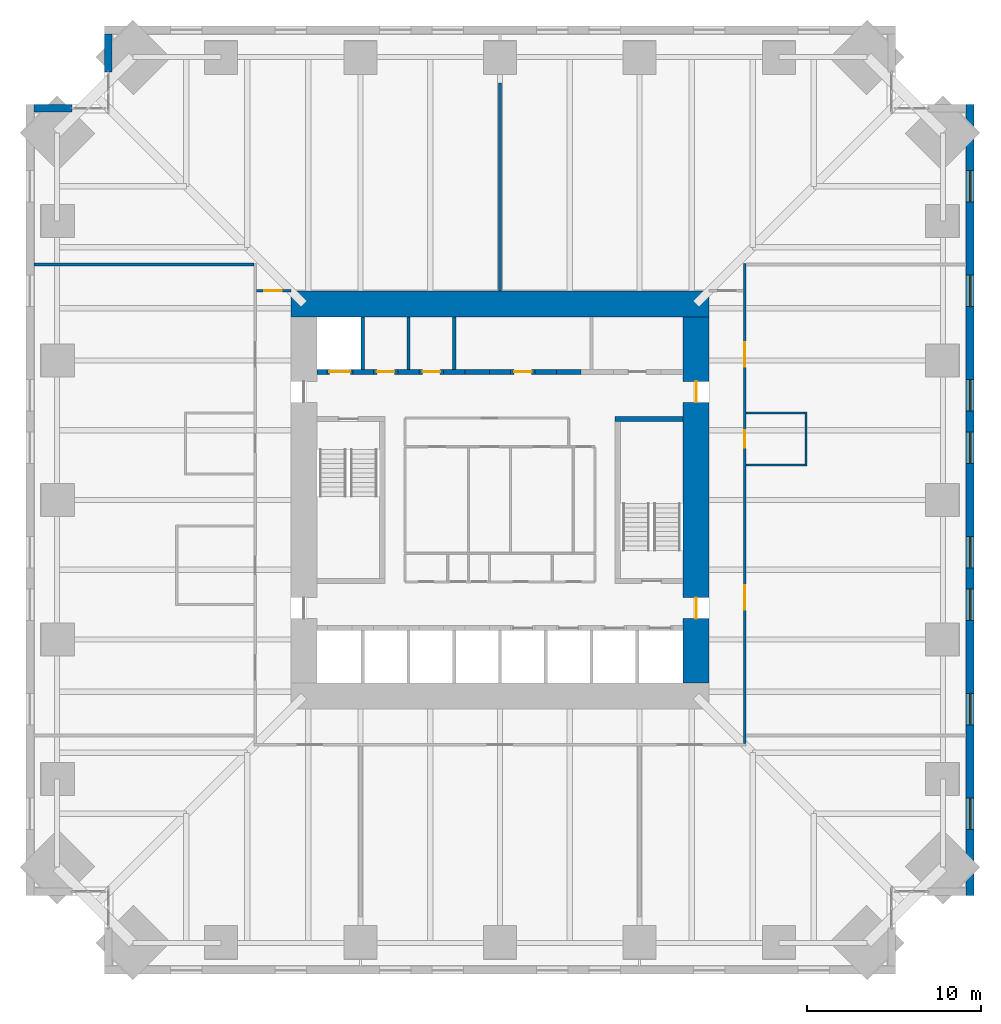
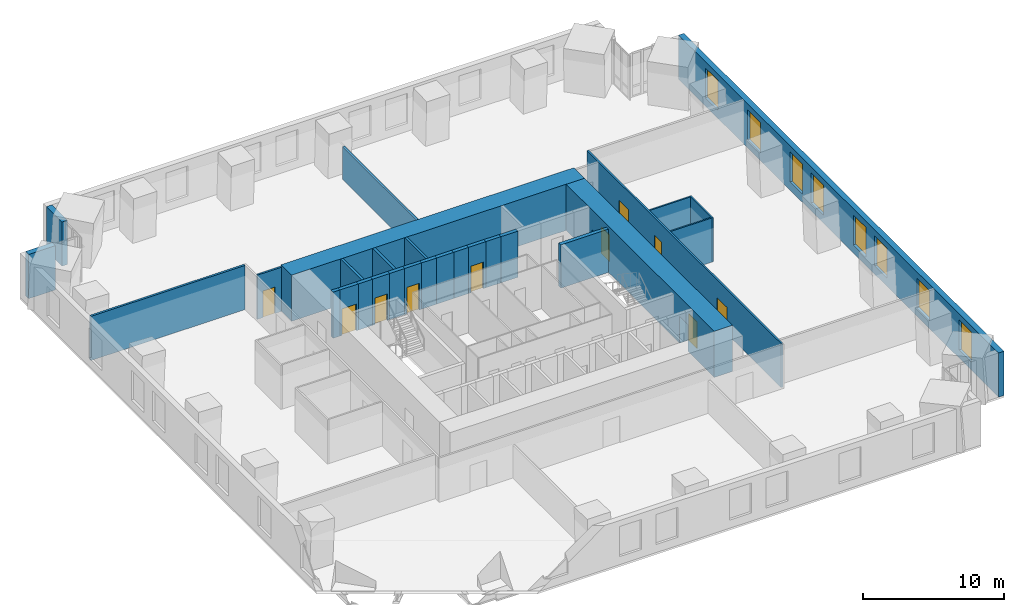
# One storey, part 14 of 16: 28 walls, 10 doors, 8 windows, 18 openings.
"""IFC4 building model written with IfcOpenShell, lengths in metres."""

from ifc_helpers import new_model, si_unit, direction, frame, frame_2d, origin, place, context, subcontext, project, spatial, rectangle, extrude, material, layer, layer_set, type_object, element, fill, save


model = new_model("IFC4")

# Units and contexts
model_context = context("Model", 3, precision=1e-05, world=origin(), true_north=direction((0.0, 1.0)))
body_context = subcontext(model_context, "Body", "Model", "MODEL_VIEW")
ifc_project = project(units=[si_unit("LENGTHUNIT", "METRE"), si_unit("AREAUNIT", "SQUARE_METRE"), si_unit("VOLUMEUNIT", "CUBIC_METRE"), si_unit("PLANEANGLEUNIT", "RADIAN"), si_unit("MASSUNIT", "GRAM", prefix="KILO")], contexts=[model_context])

# Site, building, storey
site_placement = place(None, origin())
site = spatial("IfcSite", under=ifc_project, at=site_placement, CompositionType="ELEMENT")
building_placement = place(site_placement, origin())
building = spatial("IfcBuilding", under=site, at=building_placement, Name="Peilmerk Tower", CompositionType="ELEMENT")
storey_placement = place(building_placement, frame((0.0, 0.0, 135.800048828125)))
storey = spatial("IfcBuildingStorey", under=building, at=storey_placement, Name="L27", CompositionType="ELEMENT", Elevation=135.800048828125)

# Wall, openings, windows
ifc_material_1 = material(Name="Precast concrete C45/55, board-marked finish", Category="concrete")
ifc_layer_1 = layer(ifc_material_1, 0.449951171875)
ifc_layer_set_1 = layer_set([ifc_layer_1], Name="Precast concrete C45/55, board-marked finish")
wall_type_1 = type_object("IfcWallType", Name="EW1 450 precast concrete facade wall, board-marked", PredefinedType="SOLIDWALL", material=ifc_layer_set_1)
wall_1_placement = place(storey_placement, frame((26.97509765625, -22.699951171875, 0.0), z_axis=(0.0, 0.0, 1.0), x_axis=(0.0, 1.0, 0.0)))
wall_1 = element("IfcWall", 1, at=wall_1_placement, inside=storey, type_object=wall_type_1, Name="Facade wall E L27", PredefinedType="SOLIDWALL", context=body_context, shape_type="SweptSolid", body=[
    extrude(rectangle(XDim=45.39990234375, YDim=0.449951171875, at=frame_2d((22.699951171875, 0.0))), origin(), (0.0, 0.0, 1.0), 3.829833984375),
])
opening_1_placement = place(wall_1_placement, frame((3.800048828125, 0.0, 0.699951171875)))
opening_1 = element("IfcOpeningElement", 2, at=opening_1_placement, cuts=wall_1, Name="Opening W1", PredefinedType="OPENING", context=body_context, shape_type="SweptSolid", body=[
    extrude(rectangle(XDim=1.800048828125, YDim=2.60009765625, at=frame_2d((0.89990234375, 1.300048828125))), frame((0.0, 0.23486328125, 0.0), z_axis=(0.0, -1.0, 0.0), x_axis=(1.0, 0.0, 0.0)), (0.0, 0.0, 1.0), 0.469970703125),
])
opening_2_placement = place(wall_1_placement, frame((9.800048828125, 0.0, 0.699951171875)))
opening_2 = element("IfcOpeningElement", 3, at=opening_2_placement, cuts=wall_1, Name="Opening W1", PredefinedType="OPENING", context=body_context, shape_type="SweptSolid", body=[
    extrude(rectangle(XDim=1.800048828125, YDim=2.60009765625, at=frame_2d((0.89990234375, 1.300048828125))), frame((0.0, 0.23486328125, 0.0), z_axis=(0.0, -1.0, 0.0), x_axis=(1.0, 0.0, 0.0)), (0.0, 0.0, 1.0), 0.469970703125),
])
opening_3_placement = place(wall_1_placement, frame((15.800048828125, 0.0, 0.699951171875)))
opening_3 = element("IfcOpeningElement", 4, at=opening_3_placement, cuts=wall_1, Name="Opening W1", PredefinedType="OPENING", context=body_context, shape_type="SweptSolid", body=[
    extrude(rectangle(XDim=1.800048828125, YDim=2.60009765625, at=frame_2d((0.89990234375, 1.300048828125))), frame((0.0, 0.23486328125, 0.0), z_axis=(0.0, -1.0, 0.0), x_axis=(1.0, 0.0, 0.0)), (0.0, 0.0, 1.0), 0.469970703125),
])
opening_4_placement = place(wall_1_placement, frame((18.800048828125, 0.0, 0.699951171875)))
opening_4 = element("IfcOpeningElement", 5, at=opening_4_placement, cuts=wall_1, Name="Opening W1", PredefinedType="OPENING", context=body_context, shape_type="SweptSolid", body=[
    extrude(rectangle(XDim=1.800048828125, YDim=2.60009765625, at=frame_2d((0.89990234375, 1.300048828125))), frame((0.0, 0.23486328125, 0.0), z_axis=(0.0, -1.0, 0.0), x_axis=(1.0, 0.0, 0.0)), (0.0, 0.0, 1.0), 0.469970703125),
])
opening_5_placement = place(wall_1_placement, frame((24.800048828125, 0.0, 0.699951171875)))
opening_5 = element("IfcOpeningElement", 6, at=opening_5_placement, cuts=wall_1, Name="Opening W1", PredefinedType="OPENING", context=body_context, shape_type="SweptSolid", body=[
    extrude(rectangle(XDim=1.800048828125, YDim=2.60009765625, at=frame_2d((0.89990234375, 1.300048828125))), frame((0.0, 0.23486328125, 0.0), z_axis=(0.0, -1.0, 0.0), x_axis=(1.0, 0.0, 0.0)), (0.0, 0.0, 1.0), 0.469970703125),
])
opening_6_placement = place(wall_1_placement, frame((27.800048828125, 0.0, 0.699951171875)))
opening_6 = element("IfcOpeningElement", 7, at=opening_6_placement, cuts=wall_1, Name="Opening W1", PredefinedType="OPENING", context=body_context, shape_type="SweptSolid", body=[
    extrude(rectangle(XDim=1.800048828125, YDim=2.60009765625, at=frame_2d((0.89990234375, 1.300048828125))), frame((0.0, 0.23486328125, 0.0), z_axis=(0.0, -1.0, 0.0), x_axis=(1.0, 0.0, 0.0)), (0.0, 0.0, 1.0), 0.469970703125),
])
opening_7_placement = place(wall_1_placement, frame((33.800048828125, 0.0, 0.699951171875)))
opening_7 = element("IfcOpeningElement", 8, at=opening_7_placement, cuts=wall_1, Name="Opening W1", PredefinedType="OPENING", context=body_context, shape_type="SweptSolid", body=[
    extrude(rectangle(XDim=1.800048828125, YDim=2.60009765625, at=frame_2d((0.89990234375, 1.300048828125))), frame((0.0, 0.23486328125, 0.0), z_axis=(0.0, -1.0, 0.0), x_axis=(1.0, 0.0, 0.0)), (0.0, 0.0, 1.0), 0.469970703125),
])
opening_8_placement = place(wall_1_placement, frame((39.800048828125, 0.0, 0.699951171875)))
opening_8 = element("IfcOpeningElement", 9, at=opening_8_placement, cuts=wall_1, Name="Opening W1", PredefinedType="OPENING", context=body_context, shape_type="SweptSolid", body=[
    extrude(rectangle(XDim=1.800048828125, YDim=2.60009765625, at=frame_2d((0.89990234375, 1.300048828125))), frame((0.0, 0.23486328125, 0.0), z_axis=(0.0, -1.0, 0.0), x_axis=(1.0, 0.0, 0.0)), (0.0, 0.0, 1.0), 0.469970703125),
])
ifc_material_2 = material(Name="Aluminium frame, clear double glazing", Category="aluminium")
window_type = type_object("IfcWindowType", Name="W1 1800x2600 office window", PartitioningType="SINGLE_PANEL", PredefinedType="WINDOW", material=ifc_material_2)
window_1_placement = place(opening_1_placement, origin())
window_1 = element("IfcWindow", 10, at=window_1_placement, inside=storey, type_object=window_type, Name="Window W1 L27", OverallHeight=2.60009765625, OverallWidth=1.800048828125, PartitioningType="SINGLE_PANEL", PredefinedType="WINDOW", context=body_context, shape_type="SweptSolid", body=[
    extrude(rectangle(XDim=1.800048828125, YDim=2.60009765625, at=frame_2d((0.89990234375, 1.300048828125))), frame((0.0, 0.030029296875, 0.0), z_axis=(0.0, -1.0, 0.0), x_axis=(1.0, 0.0, 0.0)), (0.0, 0.0, 1.0), 0.06005859375),
])
fill(opening_1, window_1)
window_2_placement = place(opening_2_placement, origin())
window_2 = element("IfcWindow", 11, at=window_2_placement, inside=storey, type_object=window_type, Name="Window W1 L27", OverallHeight=2.60009765625, OverallWidth=1.800048828125, PartitioningType="SINGLE_PANEL", PredefinedType="WINDOW", context=body_context, shape_type="SweptSolid", body=[
    extrude(rectangle(XDim=1.800048828125, YDim=2.60009765625, at=frame_2d((0.89990234375, 1.300048828125))), frame((0.0, 0.030029296875, 0.0), z_axis=(0.0, -1.0, 0.0), x_axis=(1.0, 0.0, 0.0)), (0.0, 0.0, 1.0), 0.06005859375),
])
fill(opening_2, window_2)
window_3_placement = place(opening_3_placement, origin())
window_3 = element("IfcWindow", 12, at=window_3_placement, inside=storey, type_object=window_type, Name="Window W1 L27", OverallHeight=2.60009765625, OverallWidth=1.800048828125, PartitioningType="SINGLE_PANEL", PredefinedType="WINDOW", context=body_context, shape_type="SweptSolid", body=[
    extrude(rectangle(XDim=1.800048828125, YDim=2.60009765625, at=frame_2d((0.89990234375, 1.300048828125))), frame((0.0, 0.030029296875, 0.0), z_axis=(0.0, -1.0, 0.0), x_axis=(1.0, 0.0, 0.0)), (0.0, 0.0, 1.0), 0.06005859375),
])
fill(opening_3, window_3)
window_4_placement = place(opening_4_placement, origin())
window_4 = element("IfcWindow", 13, at=window_4_placement, inside=storey, type_object=window_type, Name="Window W1 L27", OverallHeight=2.60009765625, OverallWidth=1.800048828125, PartitioningType="SINGLE_PANEL", PredefinedType="WINDOW", context=body_context, shape_type="SweptSolid", body=[
    extrude(rectangle(XDim=1.800048828125, YDim=2.60009765625, at=frame_2d((0.89990234375, 1.300048828125))), frame((0.0, 0.030029296875, 0.0), z_axis=(0.0, -1.0, 0.0), x_axis=(1.0, 0.0, 0.0)), (0.0, 0.0, 1.0), 0.06005859375),
])
fill(opening_4, window_4)
window_5_placement = place(opening_5_placement, origin())
window_5 = element("IfcWindow", 14, at=window_5_placement, inside=storey, type_object=window_type, Name="Window W1 L27", OverallHeight=2.60009765625, OverallWidth=1.800048828125, PartitioningType="SINGLE_PANEL", PredefinedType="WINDOW", context=body_context, shape_type="SweptSolid", body=[
    extrude(rectangle(XDim=1.800048828125, YDim=2.60009765625, at=frame_2d((0.89990234375, 1.300048828125))), frame((0.0, 0.030029296875, 0.0), z_axis=(0.0, -1.0, 0.0), x_axis=(1.0, 0.0, 0.0)), (0.0, 0.0, 1.0), 0.06005859375),
])
fill(opening_5, window_5)
window_6_placement = place(opening_6_placement, origin())
window_6 = element("IfcWindow", 15, at=window_6_placement, inside=storey, type_object=window_type, Name="Window W1 L27", OverallHeight=2.60009765625, OverallWidth=1.800048828125, PartitioningType="SINGLE_PANEL", PredefinedType="WINDOW", context=body_context, shape_type="SweptSolid", body=[
    extrude(rectangle(XDim=1.800048828125, YDim=2.60009765625, at=frame_2d((0.89990234375, 1.300048828125))), frame((0.0, 0.030029296875, 0.0), z_axis=(0.0, -1.0, 0.0), x_axis=(1.0, 0.0, 0.0)), (0.0, 0.0, 1.0), 0.06005859375),
])
fill(opening_6, window_6)
window_7_placement = place(opening_7_placement, origin())
window_7 = element("IfcWindow", 16, at=window_7_placement, inside=storey, type_object=window_type, Name="Window W1 L27", OverallHeight=2.60009765625, OverallWidth=1.800048828125, PartitioningType="SINGLE_PANEL", PredefinedType="WINDOW", context=body_context, shape_type="SweptSolid", body=[
    extrude(rectangle(XDim=1.800048828125, YDim=2.60009765625, at=frame_2d((0.89990234375, 1.300048828125))), frame((0.0, 0.030029296875, 0.0), z_axis=(0.0, -1.0, 0.0), x_axis=(1.0, 0.0, 0.0)), (0.0, 0.0, 1.0), 0.06005859375),
])
fill(opening_7, window_7)
window_8_placement = place(opening_8_placement, origin())
window_8 = element("IfcWindow", 17, at=window_8_placement, inside=storey, type_object=window_type, Name="Window W1 L27", OverallHeight=2.60009765625, OverallWidth=1.800048828125, PartitioningType="SINGLE_PANEL", PredefinedType="WINDOW", context=body_context, shape_type="SweptSolid", body=[
    extrude(rectangle(XDim=1.800048828125, YDim=2.60009765625, at=frame_2d((0.89990234375, 1.300048828125))), frame((0.0, 0.030029296875, 0.0), z_axis=(0.0, -1.0, 0.0), x_axis=(1.0, 0.0, 0.0)), (0.0, 0.0, 1.0), 0.06005859375),
])
fill(opening_8, window_8)

# Walls
for number, where, z_axis, x_axis, name in (
    (18, (-22.47509765625, 24.5537109375, 0.0), (0.0, 0.0, 1.0), (0.0, 1.0, 0.0), "Facade wall NWA L27"),
    (19, (-24.5537109375, 22.47509765625, 0.0), (0.0, 0.0, 1.0), (-1.0, 0.0, 0.0), "Facade wall NWB L27"),
):
    element("IfcWall", number, at=place(storey_placement, frame(where, z_axis=z_axis, x_axis=x_axis)), inside=storey, type_object=wall_type_1, Name=name, PredefinedType="SOLIDWALL", context=body_context, shape_type="SweptSolid", body=[
        extrude(rectangle(XDim=2.1962890625, YDim=0.449951171875, at=frame_2d((1.09814453125, 0.0))), origin(), (0.0, 0.0, 1.0), 3.829833984375),
    ])

# Wall, openings, doors
ifc_material_3 = material(Name="Calcium silicate block", Category="masonry")
ifc_layer_2 = layer(ifc_material_3, 0.14990234375)
ifc_layer_set_2 = layer_set([ifc_layer_2], Name="Calcium silicate block")
wall_type_2 = type_object("IfcWallType", Name="IW1 150 corridor partition, EI 60", PredefinedType="PARTITIONING", material=ifc_layer_set_2)
wall_2_placement = place(storey_placement, frame((14.050048828125, -13.97509765625, 0.0), z_axis=(0.0, 0.0, 1.0), x_axis=(0.0, 1.0, 0.0)))
wall_2 = element("IfcWall", 20, at=wall_2_placement, inside=storey, type_object=wall_type_2, Name="Corridor wall E L27", PredefinedType="PARTITIONING", context=body_context, shape_type="SweptSolid", body=[
    extrude(rectangle(XDim=27.550048828125, YDim=0.14990234375, at=frame_2d((13.77490234375, 0.0))), origin(), (0.0, 0.0, 1.0), 3.829833984375),
])
opening_9_placement = place(wall_2_placement, frame((7.675048828125, 0.0, 0.0)))
opening_9 = element("IfcOpeningElement", 21, at=opening_9_placement, cuts=wall_2, Name="Opening D8", PredefinedType="OPENING", context=body_context, shape_type="SweptSolid", body=[
    extrude(rectangle(XDim=1.39990234375, YDim=2.300048828125, at=frame_2d((0.699951171875, 1.14990234375))), frame((0.0, 0.0849609375, 0.0), z_axis=(0.0, -1.0, 0.0), x_axis=(1.0, 0.0, 0.0)), (0.0, 0.0, 1.0), 0.169921875),
])
opening_10_placement = place(wall_2_placement, frame((21.625, 0.0, 0.0)))
opening_10 = element("IfcOpeningElement", 22, at=opening_10_placement, cuts=wall_2, Name="Opening D8", PredefinedType="OPENING", context=body_context, shape_type="SweptSolid", body=[
    extrude(rectangle(XDim=1.39990234375, YDim=2.300048828125, at=frame_2d((0.699951171875, 1.14990234375))), frame((0.0, 0.0849609375, 0.0), z_axis=(0.0, -1.0, 0.0), x_axis=(1.0, 0.0, 0.0)), (0.0, 0.0, 1.0), 0.169921875),
])
opening_11_placement = place(wall_2_placement, frame((16.97509765625, 0.0, 0.0)))
opening_11 = element("IfcOpeningElement", 23, at=opening_11_placement, cuts=wall_2, Name="Opening D1", PredefinedType="OPENING", context=body_context, shape_type="SweptSolid", body=[
    extrude(rectangle(XDim=1.0, YDim=2.300048828125, at=frame_2d((0.5, 1.14990234375))), frame((0.0, 0.0849609375, 0.0), z_axis=(0.0, -1.0, 0.0), x_axis=(1.0, 0.0, 0.0)), (0.0, 0.0, 1.0), 0.169921875),
])
ifc_material_4 = material(Name="Timber door in steel frame", Category="steel")
door_type_1 = type_object("IfcDoorType", Name="D1 1000x2300 room door, EI2 30", OperationType="SINGLE_SWING_LEFT", PredefinedType="DOOR", material=ifc_material_4)
door_1_placement = place(opening_11_placement, frame((1.0, 0.0, 0.0), z_axis=(0.0, 0.0, 1.0), x_axis=(-1.0, 0.0, 0.0)))
door_1 = element("IfcDoor", 24, at=door_1_placement, inside=storey, type_object=door_type_1, Name="Door Focus room L27", OperationType="SINGLE_SWING_LEFT", OverallHeight=2.300048828125, OverallWidth=1.0, PredefinedType="DOOR", context=body_context, shape_type="SweptSolid", body=[
    extrude(rectangle(XDim=1.0, YDim=2.300048828125, at=frame_2d((0.5, 1.14990234375))), frame((0.0, 0.02490234375, 0.0), z_axis=(0.0, -1.0, 0.0), x_axis=(1.0, 0.0, 0.0)), (0.0, 0.0, 1.0), 0.050048828125),
])
fill(opening_11, door_1)
door_type_2 = type_object("IfcDoorType", Name="D8 1400x2300 leaf-and-a-half door, EI2 30", OperationType="DOUBLE_DOOR_SINGLE_SWING", PredefinedType="DOOR", material=ifc_material_4)
door_2_placement = place(opening_9_placement, frame((1.39990234375, 0.0, 0.0), z_axis=(0.0, 0.0, 1.0), x_axis=(-1.0, 0.0, 0.0)))
door_2 = element("IfcDoor", 25, at=door_2_placement, inside=storey, type_object=door_type_2, Name="Door Tenant suite L27", OperationType="DOUBLE_DOOR_SINGLE_SWING", OverallHeight=2.300048828125, OverallWidth=1.39990234375, PredefinedType="DOOR", context=body_context, shape_type="SweptSolid", body=[
    extrude(rectangle(XDim=1.39990234375, YDim=2.300048828125, at=frame_2d((0.699951171875, 1.14990234375))), frame((0.0, 0.02490234375, 0.0), z_axis=(0.0, -1.0, 0.0), x_axis=(1.0, 0.0, 0.0)), (0.0, 0.0, 1.0), 0.050048828125),
])
fill(opening_9, door_2)
door_3_placement = place(opening_10_placement, frame((1.39990234375, 0.0, 0.0), z_axis=(0.0, 0.0, 1.0), x_axis=(-1.0, 0.0, 0.0)))
door_3 = element("IfcDoor", 26, at=door_3_placement, inside=storey, type_object=door_type_2, Name="Door Tenant suite L27", OperationType="DOUBLE_DOOR_SINGLE_SWING", OverallHeight=2.300048828125, OverallWidth=1.39990234375, PredefinedType="DOOR", context=body_context, shape_type="SweptSolid", body=[
    extrude(rectangle(XDim=1.39990234375, YDim=2.300048828125, at=frame_2d((0.699951171875, 1.14990234375))), frame((0.0, 0.02490234375, 0.0), z_axis=(0.0, -1.0, 0.0), x_axis=(1.0, 0.0, 0.0)), (0.0, 0.0, 1.0), 0.050048828125),
])
fill(opening_10, door_3)

# Wall, opening, door
wall_3_placement = place(storey_placement, frame((-13.97509765625, 12.0, 0.0), z_axis=(0.0, 0.0, 1.0), x_axis=(1.0, 0.0, 0.0)))
wall_3 = element("IfcWall", 27, at=wall_3_placement, inside=storey, type_object=wall_type_2, Name="Corridor wall NW L27", PredefinedType="PARTITIONING", context=body_context, shape_type="SweptSolid", body=[
    extrude(rectangle(XDim=1.97509765625, YDim=0.14990234375, at=frame_2d((0.987548828125, 0.0))), origin(), (0.0, 0.0, 1.0), 3.829833984375),
])
opening_12_placement = place(wall_3_placement, frame((0.449951171875, 0.0, 0.0)))
opening_12 = element("IfcOpeningElement", 28, at=opening_12_placement, cuts=wall_3, Name="Opening D1", PredefinedType="OPENING", context=body_context, shape_type="SweptSolid", body=[
    extrude(rectangle(XDim=1.0, YDim=2.300048828125, at=frame_2d((0.5, 1.14990234375))), frame((0.0, 0.0849609375, 0.0), z_axis=(0.0, -1.0, 0.0), x_axis=(1.0, 0.0, 0.0)), (0.0, 0.0, 1.0), 0.169921875),
])
door_4_placement = place(opening_12_placement, origin())
door_4 = element("IfcDoor", 29, at=door_4_placement, inside=storey, type_object=door_type_1, Name="Door Tenant suite L27", OperationType="SINGLE_SWING_LEFT", OverallHeight=2.300048828125, OverallWidth=1.0, PredefinedType="DOOR", context=body_context, shape_type="SweptSolid", body=[
    extrude(rectangle(XDim=1.0, YDim=2.300048828125, at=frame_2d((0.5, 1.14990234375))), frame((0.0, 0.02490234375, 0.0), z_axis=(0.0, -1.0, 0.0), x_axis=(1.0, 0.0, 0.0)), (0.0, 0.0, 1.0), 0.050048828125),
])
fill(opening_12, door_4)

# Walls
ifc_material_5 = material(Name="Concrete C35/45", Category="concrete")
ifc_layer_3 = layer(ifc_material_5, 0.300048828125)
ifc_layer_set_3 = layer_set([ifc_layer_3], Name="Concrete C35/45")
wall_type_3 = type_object("IfcWallType", Name="IW3 300 concrete stair enclosure wall, EI 120", PredefinedType="SOLIDWALL", material=ifc_layer_set_3)
wall_4_placement = place(storey_placement, frame((6.60009765625, 4.64990234375, 0.0), z_axis=(0.0, 0.0, 1.0), x_axis=(1.0, 0.0, 0.0)))
element("IfcWall", 30, at=wall_4_placement, inside=storey, type_object=wall_type_3, Name="Stair 2 enclosure L27", PredefinedType="SOLIDWALL", context=body_context, shape_type="SweptSolid", body=[
    extrude(rectangle(XDim=3.89990234375, YDim=0.300048828125, at=frame_2d((1.949951171875, 0.0))), origin(), (0.0, 0.0, 1.0), 3.75),
])
ifc_material_6 = material(Name="Plasterboard on steel studs, double boarded with mineral wool", Category="steel")
ifc_layer_4 = layer(ifc_material_6, 0.125)
ifc_layer_set_4 = layer_set([ifc_layer_4], Name="Plasterboard on steel studs, double boarded with mineral wool")
wall_type_4 = type_object("IfcWallType", Name="IW7 125 acoustic partition, EI 30", PredefinedType="PARTITIONING", material=ifc_layer_set_4)
wall_5_placement = place(storey_placement, frame((17.550048828125, 1.9375, 0.0), z_axis=(0.0, 0.0, 1.0), x_axis=(0.0, 1.0, 0.0)))
element("IfcWall", 31, at=wall_5_placement, inside=storey, type_object=wall_type_4, Name="Acoustic partition Focus room L27", PredefinedType="PARTITIONING", context=body_context, shape_type="SweptSolid", body=[
    extrude(rectangle(XDim=3.125, YDim=0.125, at=frame_2d((1.5625, 0.0))), origin(), (0.0, 0.0, 1.0), 3.829833984375),
])
for number, where, z_axis, x_axis, name in (
    (32, (14.125, 2.0, 0.0), (0.0, 0.0, 1.0), (1.0, 0.0, 0.0), "Acoustic partition Focus room L27"),
    (33, (14.125, 5.0, 0.0), (0.0, 0.0, 1.0), (1.0, 0.0, 0.0), "Acoustic partition Focus room L27"),
):
    element("IfcWall", number, at=place(storey_placement, frame(where, z_axis=z_axis, x_axis=x_axis)), inside=storey, type_object=wall_type_4, Name=name, PredefinedType="PARTITIONING", context=body_context, shape_type="SweptSolid", body=[
        extrude(rectangle(XDim=3.362548828125, YDim=0.125, at=frame_2d((1.68115234375, 0.0))), origin(), (0.0, 0.0, 1.0), 3.829833984375),
    ])
ifc_layer_5 = layer(ifc_material_3, 0.175048828125)
ifc_layer_set_5 = layer_set([ifc_layer_5], Name="Calcium silicate block")
wall_type_5 = type_object("IfcWallType", Name="IW8 175 tenant separating wall, EI 60", PredefinedType="PARTITIONING", material=ifc_layer_set_5)
wall_6_placement = place(storey_placement, frame((-26.75, 13.5, 0.0), z_axis=(0.0, 0.0, 1.0), x_axis=(1.0, 0.0, 0.0)))
element("IfcWall", 34, at=wall_6_placement, inside=storey, type_object=wall_type_5, Name="Tenant separating wall NW L27", PredefinedType="PARTITIONING", context=body_context, shape_type="SweptSolid", body=[
    extrude(rectangle(XDim=12.625, YDim=0.175048828125, at=frame_2d((6.3125, 0.0))), origin(), (0.0, 0.0, 1.0), 3.829833984375),
])
wall_7_placement = place(storey_placement, frame((0.0, 12.0, 0.0), z_axis=(0.0, 0.0, 1.0), x_axis=(0.0, 1.0, 0.0)))
element("IfcWall", 35, at=wall_7_placement, inside=storey, type_object=wall_type_5, Name="Tenant separating wall N1 L27", PredefinedType="PARTITIONING", context=body_context, shape_type="SweptSolid", body=[
    extrude(rectangle(XDim=11.916259765625, YDim=0.175048828125, at=frame_2d((5.9580078125, 0.0))), origin(), (0.0, 0.0, 1.0), 2.829833984375),
])
ifc_layer_6 = layer(ifc_material_3, 0.199951171875)
ifc_layer_set_6 = layer_set([ifc_layer_6], Name="Calcium silicate block")
wall_type_6 = type_object("IfcWallType", Name="SH1 200 shaft dividing wall, EI 120", PredefinedType="PARTITIONING", material=ifc_layer_set_6)
for number, where, z_axis, x_axis, name in (
    (36, (-7.875, 7.5, 0.0), (0.0, 0.0, 1.0), (0.0, 1.0, 0.0), "Shaft wall N FL1 L27"),
    (37, (-5.25, 7.5, 0.0), (0.0, 0.0, 1.0), (0.0, 1.0, 0.0), "Shaft wall N A1 L27"),
    (38, (-2.625, 7.5, 0.0), (0.0, 0.0, 1.0), (0.0, 1.0, 0.0), "Shaft wall N A2 L27"),
):
    element("IfcWall", number, at=place(storey_placement, frame(where, z_axis=z_axis, x_axis=x_axis)), inside=storey, type_object=wall_type_6, Name=name, PredefinedType="PARTITIONING", context=body_context, shape_type="SweptSolid", body=[
        extrude(rectangle(XDim=3.0, YDim=0.199951171875, at=frame_2d((1.5, 0.0))), origin(), (0.0, 0.0, 1.0), 4.0),
    ])

# Wall, opening, door
ifc_layer_7 = layer(ifc_material_3, 0.300048828125)
ifc_layer_set_7 = layer_set([ifc_layer_7], Name="Calcium silicate block")
wall_type_7 = type_object("IfcWallType", Name="SH2 300 lift landing door panel, EI 120", PredefinedType="PARTITIONING", material=ifc_layer_set_7)
wall_8_placement = place(storey_placement, frame((-9.9375, 7.35009765625, 0.0), z_axis=(0.0, 0.0, 1.0), x_axis=(1.0, 0.0, 0.0)))
wall_8 = element("IfcWall", 39, at=wall_8_placement, inside=storey, type_object=wall_type_7, Name="Lift door panel N FL1 L27", PredefinedType="PARTITIONING", context=body_context, shape_type="SweptSolid", body=[
    extrude(rectangle(XDim=1.5, YDim=0.300048828125, at=frame_2d((0.75, 0.0))), origin(), (0.0, 0.0, 1.0), 4.0),
])
opening_13_placement = place(wall_8_placement, frame((0.14990234375, 0.0, 0.0)))
opening_13 = element("IfcOpeningElement", 40, at=opening_13_placement, cuts=wall_8, Name="Opening LD2", PredefinedType="OPENING", context=body_context, shape_type="SweptSolid", body=[
    extrude(rectangle(XDim=1.199951171875, YDim=2.300048828125, at=frame_2d((0.60009765625, 1.14990234375))), frame((0.0, 0.159912109375, 0.0), z_axis=(0.0, -1.0, 0.0), x_axis=(1.0, 0.0, 0.0)), (0.0, 0.0, 1.0), 0.320068359375),
])
ifc_material_7 = material(Name="Stainless steel landing door", Category="steel")
door_type_3 = type_object("IfcDoorType", Name="LD2 1200x2300 lift landing door, sliding, EI2 60", OperationType="SLIDING_TO_LEFT", PredefinedType="DOOR", material=ifc_material_7)
door_5_placement = place(opening_13_placement, frame((1.199951171875, 0.0, 0.0), z_axis=(0.0, 0.0, 1.0), x_axis=(-1.0, 0.0, 0.0)))
door_5 = element("IfcDoor", 41, at=door_5_placement, inside=storey, type_object=door_type_3, Name="Lift landing door FL1 L27", OperationType="SLIDING_TO_LEFT", OverallHeight=2.300048828125, OverallWidth=1.199951171875, PredefinedType="DOOR", context=body_context, shape_type="SweptSolid", body=[
    extrude(rectangle(XDim=1.199951171875, YDim=2.300048828125, at=frame_2d((0.60009765625, 1.14990234375))), frame((0.0, 0.02490234375, 0.0), z_axis=(0.0, -1.0, 0.0), x_axis=(1.0, 0.0, 0.0)), (0.0, 0.0, 1.0), 0.050048828125),
])
fill(opening_13, door_5)

wall_9_placement = place(storey_placement, frame((-7.262451171875, 7.35009765625, 0.0), z_axis=(0.0, 0.0, 1.0), x_axis=(1.0, 0.0, 0.0)))
wall_9 = element("IfcWall", 42, at=wall_9_placement, inside=storey, type_object=wall_type_7, Name="Lift door panel N A1 L27", PredefinedType="PARTITIONING", context=body_context, shape_type="SweptSolid", body=[
    extrude(rectangle(XDim=1.39990234375, YDim=0.300048828125, at=frame_2d((0.699951171875, 0.0))), origin(), (0.0, 0.0, 1.0), 4.0),
])
opening_14_placement = place(wall_9_placement, frame((0.199951171875, 0.0, 0.0)))
opening_14 = element("IfcOpeningElement", 43, at=opening_14_placement, cuts=wall_9, Name="Opening D10", PredefinedType="OPENING", context=body_context, shape_type="SweptSolid", body=[
    extrude(rectangle(XDim=1.0, YDim=2.300048828125, at=frame_2d((0.5, 1.14990234375))), frame((0.0, 0.159912109375, 0.0), z_axis=(0.0, -1.0, 0.0), x_axis=(1.0, 0.0, 0.0)), (0.0, 0.0, 1.0), 0.320068359375),
])
ifc_material_8 = material(Name="Steel door in steel frame", Category="steel")
door_type_4 = type_object("IfcDoorType", Name="D10 1000x2300 core room door, EI2 60", OperationType="SINGLE_SWING_RIGHT", PredefinedType="DOOR", material=ifc_material_8)
door_6_placement = place(opening_14_placement, origin())
door_6 = element("IfcDoor", 44, at=door_6_placement, inside=storey, type_object=door_type_4, Name="Door Staff WC L27", OperationType="SINGLE_SWING_RIGHT", OverallHeight=2.300048828125, OverallWidth=1.0, PredefinedType="DOOR", context=body_context, shape_type="SweptSolid", body=[
    extrude(rectangle(XDim=1.0, YDim=2.300048828125, at=frame_2d((0.5, 1.14990234375))), frame((0.0, 0.02490234375, 0.0), z_axis=(0.0, -1.0, 0.0), x_axis=(1.0, 0.0, 0.0)), (0.0, 0.0, 1.0), 0.050048828125),
])
fill(opening_14, door_6)

wall_10_placement = place(storey_placement, frame((-4.637451171875, 7.35009765625, 0.0), z_axis=(0.0, 0.0, 1.0), x_axis=(1.0, 0.0, 0.0)))
wall_10 = element("IfcWall", 45, at=wall_10_placement, inside=storey, type_object=wall_type_7, Name="Lift door panel N A2 L27", PredefinedType="PARTITIONING", context=body_context, shape_type="SweptSolid", body=[
    extrude(rectangle(XDim=1.39990234375, YDim=0.300048828125, at=frame_2d((0.699951171875, 0.0))), origin(), (0.0, 0.0, 1.0), 4.0),
])
opening_15_placement = place(wall_10_placement, frame((0.199951171875, 0.0, 0.0)))
opening_15 = element("IfcOpeningElement", 46, at=opening_15_placement, cuts=wall_10, Name="Opening D10", PredefinedType="OPENING", context=body_context, shape_type="SweptSolid", body=[
    extrude(rectangle(XDim=1.0, YDim=2.300048828125, at=frame_2d((0.5, 1.14990234375))), frame((0.0, 0.159912109375, 0.0), z_axis=(0.0, -1.0, 0.0), x_axis=(1.0, 0.0, 0.0)), (0.0, 0.0, 1.0), 0.320068359375),
])
door_7_placement = place(opening_15_placement, origin())
door_7 = element("IfcDoor", 47, at=door_7_placement, inside=storey, type_object=door_type_4, Name="Door Electrical room L27", OperationType="SINGLE_SWING_RIGHT", OverallHeight=2.300048828125, OverallWidth=1.0, PredefinedType="DOOR", context=body_context, shape_type="SweptSolid", body=[
    extrude(rectangle(XDim=1.0, YDim=2.300048828125, at=frame_2d((0.5, 1.14990234375))), frame((0.0, 0.02490234375, 0.0), z_axis=(0.0, -1.0, 0.0), x_axis=(1.0, 0.0, 0.0)), (0.0, 0.0, 1.0), 0.050048828125),
])
fill(opening_15, door_7)

# Wall
wall_11_placement = place(storey_placement, frame((-2.012451171875, 7.35009765625, 0.0), z_axis=(0.0, 0.0, 1.0), x_axis=(1.0, 0.0, 0.0)))
element("IfcWall", 48, at=wall_11_placement, inside=storey, type_object=wall_type_7, Name="Lift door panel N A3 L27", PredefinedType="PARTITIONING", context=body_context, shape_type="SweptSolid", body=[
    extrude(rectangle(XDim=1.39990234375, YDim=0.300048828125, at=frame_2d((0.699951171875, 0.0))), origin(), (0.0, 0.0, 1.0), 4.0),
])

# Wall, opening, door
wall_12_placement = place(storey_placement, frame((0.612548828125, 7.35009765625, 0.0), z_axis=(0.0, 0.0, 1.0), x_axis=(1.0, 0.0, 0.0)))
wall_12 = element("IfcWall", 49, at=wall_12_placement, inside=storey, type_object=wall_type_7, Name="Lift door panel N S1 L27", PredefinedType="PARTITIONING", context=body_context, shape_type="SweptSolid", body=[
    extrude(rectangle(XDim=1.39990234375, YDim=0.300048828125, at=frame_2d((0.699951171875, 0.0))), origin(), (0.0, 0.0, 1.0), 4.0),
])
opening_16_placement = place(wall_12_placement, frame((0.199951171875, 0.0, 0.0)))
opening_16 = element("IfcOpeningElement", 50, at=opening_16_placement, cuts=wall_12, Name="Opening D10", PredefinedType="OPENING", context=body_context, shape_type="SweptSolid", body=[
    extrude(rectangle(XDim=1.0, YDim=2.300048828125, at=frame_2d((0.5, 1.14990234375))), frame((0.0, 0.159912109375, 0.0), z_axis=(0.0, -1.0, 0.0), x_axis=(1.0, 0.0, 0.0)), (0.0, 0.0, 1.0), 0.320068359375),
])
door_8_placement = place(opening_16_placement, origin())
door_8 = element("IfcDoor", 51, at=door_8_placement, inside=storey, type_object=door_type_4, Name="Door Plant room L27", OperationType="SINGLE_SWING_RIGHT", OverallHeight=2.300048828125, OverallWidth=1.0, PredefinedType="DOOR", context=body_context, shape_type="SweptSolid", body=[
    extrude(rectangle(XDim=1.0, YDim=2.300048828125, at=frame_2d((0.5, 1.14990234375))), frame((0.0, 0.02490234375, 0.0), z_axis=(0.0, -1.0, 0.0), x_axis=(1.0, 0.0, 0.0)), (0.0, 0.0, 1.0), 0.050048828125),
])
fill(opening_16, door_8)

# Walls
wall_13_placement = place(storey_placement, frame((3.237548828125, 7.35009765625, 0.0), z_axis=(0.0, 0.0, 1.0), x_axis=(1.0, 0.0, 0.0)))
element("IfcWall", 52, at=wall_13_placement, inside=storey, type_object=wall_type_7, Name="Lift door panel N S2 L27", PredefinedType="PARTITIONING", context=body_context, shape_type="SweptSolid", body=[
    extrude(rectangle(XDim=1.39990234375, YDim=0.300048828125, at=frame_2d((0.699951171875, 0.0))), origin(), (0.0, 0.0, 1.0), 4.0),
])
ifc_material_9 = material(Name="Concrete C55/67", Category="concrete")
ifc_layer_8 = layer(ifc_material_9, 1.5)
ifc_layer_set_8 = layer_set([ifc_layer_8], Name="Concrete C55/67")
wall_type_8 = type_object("IfcWallType", Name="SW1 1500 core wall", PredefinedType="SHEAR", material=ifc_layer_set_8)
wall_14_placement = place(storey_placement, frame((-12.0, 11.25, 0.0), z_axis=(0.0, 0.0, 1.0), x_axis=(1.0, 0.0, 0.0)))
element("IfcWall", 53, at=wall_14_placement, inside=storey, type_object=wall_type_8, Name="Core wall N L27", PredefinedType="SHEAR", context=body_context, shape_type="SweptSolid", body=[
    extrude(rectangle(XDim=24.0, YDim=1.5, at=frame_2d((12.0, 0.0))), origin(), (0.0, 0.0, 1.0), 4.0),
])

# Wall, openings, doors
wall_15_placement = place(storey_placement, frame((11.25, 10.5, 0.0), z_axis=(0.0, 0.0, 1.0), x_axis=(0.0, -1.0, 0.0)))
wall_15 = element("IfcWall", 54, at=wall_15_placement, inside=storey, type_object=wall_type_8, Name="Core wall E L27", PredefinedType="SHEAR", context=body_context, shape_type="SweptSolid", body=[
    extrude(rectangle(XDim=21.0, YDim=1.5, at=frame_2d((10.5, 0.0))), origin(), (0.0, 0.0, 1.0), 4.0),
])
opening_17_placement = place(wall_15_placement, frame((3.699951171875, 0.0, 0.0)))
opening_17 = element("IfcOpeningElement", 55, at=opening_17_placement, cuts=wall_15, Name="Opening D3", PredefinedType="OPENING", context=body_context, shape_type="SweptSolid", body=[
    extrude(rectangle(XDim=1.199951171875, YDim=2.300048828125, at=frame_2d((0.60009765625, 1.14990234375))), frame((0.0, 0.760009765625, 0.0), z_axis=(0.0, -1.0, 0.0), x_axis=(1.0, 0.0, 0.0)), (0.0, 0.0, 1.0), 1.52001953125),
])
opening_18_placement = place(wall_15_placement, frame((16.10009765625, 0.0, 0.0)))
opening_18 = element("IfcOpeningElement", 56, at=opening_18_placement, cuts=wall_15, Name="Opening D3", PredefinedType="OPENING", context=body_context, shape_type="SweptSolid", body=[
    extrude(rectangle(XDim=1.199951171875, YDim=2.300048828125, at=frame_2d((0.60009765625, 1.14990234375))), frame((0.0, 0.760009765625, 0.0), z_axis=(0.0, -1.0, 0.0), x_axis=(1.0, 0.0, 0.0)), (0.0, 0.0, 1.0), 1.52001953125),
])
door_type_5 = type_object("IfcDoorType", Name="D3 1200x2300 core door, EI2 60", OperationType="SINGLE_SWING_LEFT", PredefinedType="DOOR", material=ifc_material_8)
door_9_placement = place(opening_17_placement, frame((1.199951171875, 0.0, 0.0), z_axis=(0.0, 0.0, 1.0), x_axis=(-1.0, 0.0, 0.0)))
door_9 = element("IfcDoor", 57, at=door_9_placement, inside=storey, type_object=door_type_5, Name="Core door L27", OperationType="SINGLE_SWING_LEFT", OverallHeight=2.300048828125, OverallWidth=1.199951171875, PredefinedType="DOOR", context=body_context, shape_type="SweptSolid", body=[
    extrude(rectangle(XDim=1.199951171875, YDim=2.300048828125, at=frame_2d((0.60009765625, 1.14990234375))), frame((0.0, 0.02490234375, 0.0), z_axis=(0.0, -1.0, 0.0), x_axis=(1.0, 0.0, 0.0)), (0.0, 0.0, 1.0), 0.050048828125),
])
fill(opening_17, door_9)
door_10_placement = place(opening_18_placement, frame((1.199951171875, 0.0, 0.0), z_axis=(0.0, 0.0, 1.0), x_axis=(-1.0, 0.0, 0.0)))
door_10 = element("IfcDoor", 58, at=door_10_placement, inside=storey, type_object=door_type_5, Name="Core door L27", OperationType="SINGLE_SWING_LEFT", OverallHeight=2.300048828125, OverallWidth=1.199951171875, PredefinedType="DOOR", context=body_context, shape_type="SweptSolid", body=[
    extrude(rectangle(XDim=1.199951171875, YDim=2.300048828125, at=frame_2d((0.60009765625, 1.14990234375))), frame((0.0, 0.02490234375, 0.0), z_axis=(0.0, -1.0, 0.0), x_axis=(1.0, 0.0, 0.0)), (0.0, 0.0, 1.0), 0.050048828125),
])
fill(opening_18, door_10)

# Walls
ifc_layer_9 = layer(ifc_material_9, 0.300048828125)
ifc_layer_set_9 = layer_set([ifc_layer_9], Name="Concrete C55/67")
wall_type_9 = type_object("IfcWallType", Name="SW2 300 lift bank pier", PredefinedType="SHEAR", material=ifc_layer_set_9)
wall_16_placement = place(storey_placement, frame((-10.5, 7.35009765625, 0.0), z_axis=(0.0, 0.0, 1.0), x_axis=(1.0, 0.0, 0.0)))
element("IfcWall", 59, at=wall_16_placement, inside=storey, type_object=wall_type_9, Name="Lift bank pier N L27", PredefinedType="SHEAR", context=body_context, shape_type="SweptSolid", body=[
    extrude(rectangle(XDim=0.5625, YDim=0.300048828125, at=frame_2d((0.28125, 0.0))), origin(), (0.0, 0.0, 1.0), 4.0),
])
wall_17_placement = place(storey_placement, frame((-8.4375, 7.35009765625, 0.0), z_axis=(0.0, 0.0, 1.0), x_axis=(1.0, 0.0, 0.0)))
element("IfcWall", 60, at=wall_17_placement, inside=storey, type_object=wall_type_9, Name="Lift bank pier N L27", PredefinedType="SHEAR", context=body_context, shape_type="SweptSolid", body=[
    extrude(rectangle(XDim=1.175048828125, YDim=0.300048828125, at=frame_2d((0.58740234375, 0.0))), origin(), (0.0, 0.0, 1.0), 4.0),
])
for number, where, z_axis, x_axis, name in (
    (61, (-5.862548828125, 7.35009765625, 0.0), (0.0, 0.0, 1.0), (1.0, 0.0, 0.0), "Lift bank pier N L27"),
    (62, (-3.237548828125, 7.35009765625, 0.0), (0.0, 0.0, 1.0), (1.0, 0.0, 0.0), "Lift bank pier N L27"),
    (63, (-0.612548828125, 7.35009765625, 0.0), (0.0, 0.0, 1.0), (1.0, 0.0, 0.0), "Lift bank pier N L27"),
    (64, (2.012451171875, 7.35009765625, 0.0), (0.0, 0.0, 1.0), (1.0, 0.0, 0.0), "Lift bank pier N L27"),
):
    element("IfcWall", number, at=place(storey_placement, frame(where, z_axis=z_axis, x_axis=x_axis)), inside=storey, type_object=wall_type_9, Name=name, PredefinedType="SHEAR", context=body_context, shape_type="SweptSolid", body=[
        extrude(rectangle(XDim=1.22509765625, YDim=0.300048828125, at=frame_2d((0.612548828125, 0.0))), origin(), (0.0, 0.0, 1.0), 4.0),
    ])

save(model, "model.ifc")
